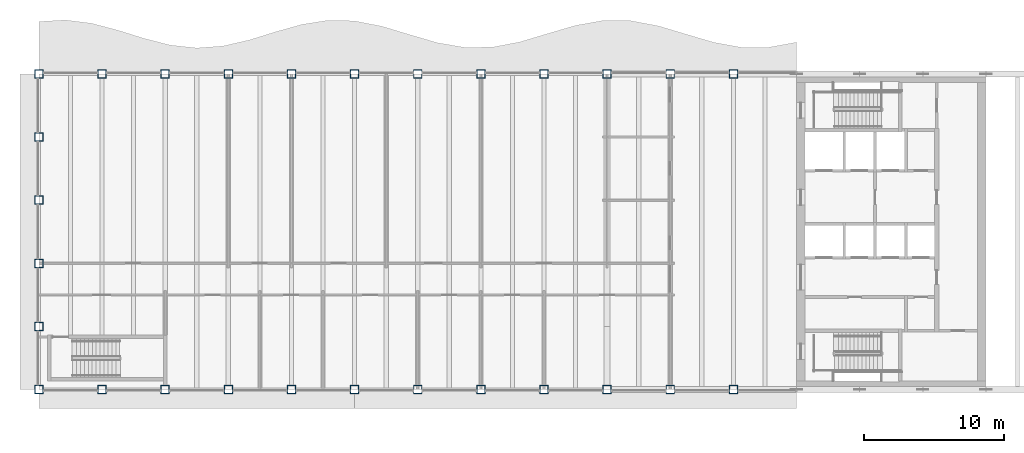
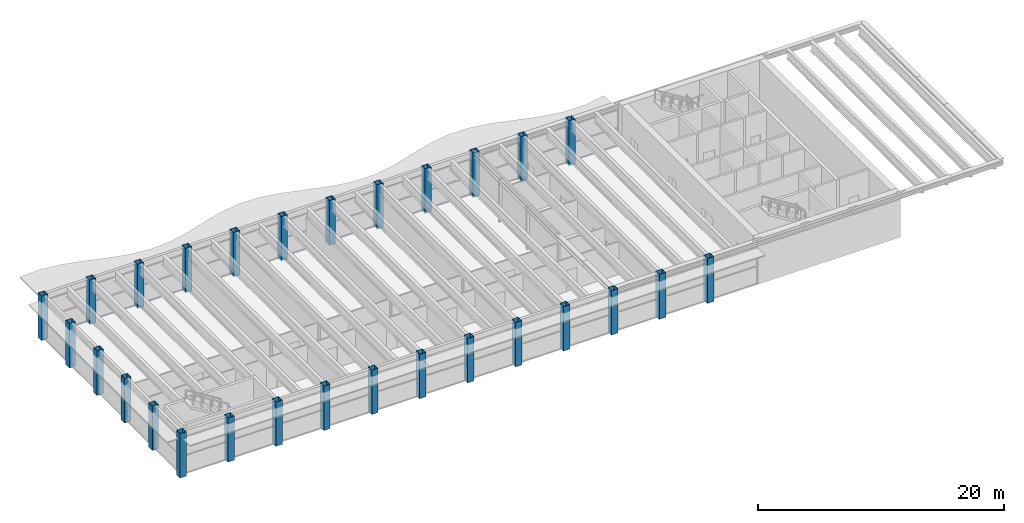
# One storey, part 1 of 15: 28 columns.
"""IFC4 building model written with IfcOpenShell, lengths in metres."""

import ifcopenshell
import ifcopenshell.guid

model = None  # the IFC model being written
_history = None  # IfcOwnerHistory: only IFC2X3 demands one
_inside = {}  # id of a spatial element -> (the spatial element, [elements in it])
_under = {}  # id of a project, library or spatial element -> (it, [spatial elements below it])
_declared = {}  # id of a project -> (the project, [libraries it declares])
_typed = {}  # id of a type object -> (the type object, [elements of that type])
_made_of = {}  # id of a material, layer set ... -> (it, [elements and type objects made of it])


def new_model(schema):
    """Start an empty IFC model of exactly this schema.

    Asked for "IFC4X3", IfcOpenShell would pick the latest addendum, in which some entities
    have other attributes; the version numbers below select the first issue.
    IFC2X3 requires an IfcOwnerHistory on every rooted entity: one is made here for all.
    """
    global model, _history
    if schema == "IFC4X3":
        model = ifcopenshell.file(schema_version=(4, 3, 0, 0))
    else:
        model = ifcopenshell.file(schema=schema)
    _inside.clear()
    _under.clear()
    _declared.clear()
    _typed.clear()
    _made_of.clear()
    _history = None
    if model.schema == "IFC2X3":
        org = make("IfcOrganization", Name="unknown")
        user = make(
            "IfcPersonAndOrganization",
            ThePerson=make("IfcPerson", FamilyName="unknown"),
            TheOrganization=org,
        )
        app = make(
            "IfcApplication",
            ApplicationDeveloper=org,
            Version="unknown",
            ApplicationFullName="unknown",
            ApplicationIdentifier="unknown",
        )
        _history = make(
            "IfcOwnerHistory",
            OwningUser=user,
            OwningApplication=app,
            ChangeAction="ADDED",
            CreationDate=0,
        )
    return model


def make(cls, **values):
    """One entity of the class cls with the attributes given. An attribute that is None is left unset."""
    return model.create_entity(
        cls, **{name: value for name, value in values.items() if value is not None}
    )


def rooted(cls, **values):
    """An entity with a GlobalId (a new one), such as an element, a storey or a relation."""
    return make(cls, GlobalId=ifcopenshell.guid.new(), OwnerHistory=_history, **values)


def si_unit(unit_type, name, prefix=None):
    """IfcSIUnit, for example si_unit("LENGTHUNIT", "METRE", prefix="MILLI")."""
    return make("IfcSIUnit", UnitType=unit_type, Prefix=prefix, Name=name)


def assignment(units):
    """IfcUnitAssignment: the units of a project."""
    return None if units is None else make("IfcUnitAssignment", Units=units)


def point(xyz):
    """IfcCartesianPoint."""
    return None if xyz is None else make("IfcCartesianPoint", Coordinates=xyz)


def direction(xyz):
    """IfcDirection."""
    return None if xyz is None else make("IfcDirection", DirectionRatios=xyz)


def frame(location, z_axis=None, x_axis=None):
    """IfcAxis2Placement3D, a coordinate frame: its origin and axes. An axis left out is left unset."""
    return make(
        "IfcAxis2Placement3D",
        Location=point(location),
        Axis=direction(z_axis),
        RefDirection=direction(x_axis),
    )


def frame_2d(location, x_axis=None):
    """IfcAxis2Placement2D, a coordinate frame in the plane: its origin and x axis."""
    return make(
        "IfcAxis2Placement2D", Location=point(location), RefDirection=direction(x_axis)
    )


def origin():
    """The frame at (0, 0, 0) with its axes left unset."""
    return frame((0.0, 0.0, 0.0))


def origin_2d():
    """The frame at (0, 0) in the plane with its x axis left unset."""
    return frame_2d((0.0, 0.0))


def place(relative_to, where):
    """IfcLocalPlacement: puts the frame where relative to a parent placement (None: the world)."""
    return make(
        "IfcLocalPlacement", PlacementRelTo=relative_to, RelativePlacement=where
    )


def context(
    kind, dimensions, precision=None, world=None, true_north=None, identifier=None
):
    """IfcGeometricRepresentationContext, for example the 3D "Model" context."""
    return make(
        "IfcGeometricRepresentationContext",
        ContextIdentifier=identifier,
        ContextType=kind,
        CoordinateSpaceDimension=dimensions,
        Precision=precision,
        WorldCoordinateSystem=world,
        TrueNorth=true_north,
    )


def subcontext(parent, identifier, kind, view, scale=None):
    """IfcGeometricRepresentationSubContext, for example "Body" below "Model"."""
    return make(
        "IfcGeometricRepresentationSubContext",
        ContextIdentifier=identifier,
        ContextType=kind,
        ParentContext=parent,
        TargetScale=scale,
        TargetView=view,
    )


def project(units=None, contexts=None):
    """IfcProject with its units and contexts."""
    return rooted(
        "IfcProject",
        Name="project",
        RepresentationContexts=contexts,
        UnitsInContext=assignment(units),
    )


def spatial(cls, under=None, at=None, **own):
    """A site, building, storey or space (cls), placed at a placement, below another one or the project."""
    s = rooted(cls, ObjectPlacement=at, **own)
    if under is not None:
        _under.setdefault(under.id(), (under, []))[1].append(s)
    return s


def profile(cls, at=None, kind="AREA", **sizes):
    """A parametric profile (cls). Its sizes go by their IFC names, for example OverallWidth=200.0."""
    return make(cls, ProfileType=kind, Position=at, **sizes)


def hollow_rectangle(**sizes):
    """IfcRectangleHollowProfileDef."""
    return profile("IfcRectangleHollowProfileDef", **sizes)


def extrude(swept, where, along, depth):
    """IfcExtrudedAreaSolid: the profile swept, set in the frame where, extruded along a direction by depth."""
    return make(
        "IfcExtrudedAreaSolid",
        SweptArea=swept,
        Position=where,
        ExtrudedDirection=direction(along),
        Depth=depth,
    )


def shape(context_of_items, identifier, shape_type, items):
    """IfcShapeRepresentation: the items that make up one representation, for example the "Body"."""
    return make(
        "IfcShapeRepresentation",
        ContextOfItems=context_of_items,
        RepresentationIdentifier=identifier,
        RepresentationType=shape_type,
        Items=items,
    )


def material(Name=None, Category=None):
    """IfcMaterial."""
    return make("IfcMaterial", Name=Name, Category=Category)


def material_profile(
    of_material, cross_section, Name=None, Category=None, Priority=None
):
    """IfcMaterialProfile: a cross section and its material."""
    return make(
        "IfcMaterialProfile",
        Name=Name,
        Material=of_material,
        Profile=cross_section,
        Priority=Priority,
        Category=Category,
    )


def profile_set(profiles, Name=None, composite=None):
    """IfcMaterialProfileSet."""
    return make(
        "IfcMaterialProfileSet",
        Name=Name,
        MaterialProfiles=profiles,
        CompositeProfile=composite,
    )


def made_of(thing, what):
    """Note that an element or type object is made of a material, layer set ...; save() writes the relation."""
    if what is not None:
        _made_of.setdefault(what.id(), (what, []))[1].append(thing)
    return thing


def type_object(cls, material=None, **own):
    """A type object (cls), such as IfcWallType, which elements share."""
    return made_of(rooted(cls, **own), material)


def element(
    cls,
    number,
    at=None,
    inside=None,
    cuts=None,
    type_object=None,
    material=None,
    context=None,
    identifier="Body",
    shape_type=None,
    held_by="IfcProductDefinitionShape",
    body=None,
    shapes=None,
    **own,
):
    """One element of the class cls, such as IfcWall. Its Tag is "e" and its number.

    at: its placement. inside: the storey or other place that contains it. cuts: it is an
    opening in that element (IfcRelVoidsElement). A single representation is given by context,
    identifier, shape_type and body (its items); several are given by shapes. held_by: the class
    of the entity that holds the representations. save() writes the other relations.
    """
    e = rooted(cls, Tag="e%d" % number, ObjectPlacement=at, **own)
    if body is not None:
        shapes = [shape(context, identifier, shape_type, body)]
    if shapes is not None:
        e.Representation = make(held_by, Representations=shapes)
    if inside is not None:
        _inside.setdefault(inside.id(), (inside, []))[1].append(e)
    if cuts is not None:
        rooted(
            "IfcRelVoidsElement", RelatingBuildingElement=cuts, RelatedOpeningElement=e
        )
    if type_object is not None:
        _typed.setdefault(type_object.id(), (type_object, []))[1].append(e)
    return made_of(e, material)


def aggregate(whole, parts):
    """IfcRelAggregates: a whole, such as a stair, and the parts it consists of."""
    return rooted("IfcRelAggregates", RelatingObject=whole, RelatedObjects=parts)


def save(model, path):
    """Write the relations noted so far, then the file.

    IfcRelAggregates (storeys below a building ...), IfcRelContainedInSpatialStructure (elements
    in a storey), IfcRelDefinesByType, IfcRelAssociatesMaterial and IfcRelDeclares: one each for
    every whole, place, type object, material and project.
    """
    for whole, parts in _under.values():
        aggregate(whole, parts)
    for where, things in _inside.values():
        rooted(
            "IfcRelContainedInSpatialStructure",
            RelatedElements=things,
            RelatingStructure=where,
        )
    for kind, things in _typed.values():
        rooted("IfcRelDefinesByType", RelatedObjects=things, RelatingType=kind)
    for what, things in _made_of.values():
        rooted("IfcRelAssociatesMaterial", RelatedObjects=things, RelatingMaterial=what)
    for by, libraries in _declared.values():
        rooted("IfcRelDeclares", RelatingContext=by, RelatedDefinitions=libraries)
    model.write(path)


model = new_model("IFC4")

# Units and contexts
model_context = context("Model", 3, precision=1e-05, world=origin(), true_north=direction((0.0, 1.0)))
body_context = subcontext(model_context, "Body", "Model", "MODEL_VIEW")
ifc_project = project(units=[si_unit("LENGTHUNIT", "METRE"), si_unit("AREAUNIT", "SQUARE_METRE"), si_unit("VOLUMEUNIT", "CUBIC_METRE"), si_unit("PLANEANGLEUNIT", "RADIAN"), si_unit("MASSUNIT", "GRAM", prefix="KILO")], contexts=[model_context])

# Site, building, storey
site_placement = place(None, origin())
site = spatial("IfcSite", under=ifc_project, at=site_placement, CompositionType="ELEMENT")
building_placement = place(site_placement, origin())
building = spatial("IfcBuilding", under=site, at=building_placement, Name="Sennacour Bend Tower", CompositionType="ELEMENT")
storey_placement = place(building_placement, frame((0.0, 0.0, 341.0)))
storey = spatial("IfcBuildingStorey", under=building, at=storey_placement, Name="L78", CompositionType="ELEMENT", Elevation=341.0)

# Columns
ifc_material = material(Name="Steel ASTM A572 Grade 50", Category="steel")
ifc_material_profile = material_profile(ifc_material, hollow_rectangle(XDim=0.60009765625, YDim=0.60009765625, WallThickness=0.030029296875, at=origin_2d()), Name="Steel ASTM A572 Grade 50", Category="steel")
ifc_profile_set = profile_set([ifc_material_profile], Name="Steel ASTM A572 Grade 50")
column_type = type_object("IfcColumnType", Name="Box column 600", PredefinedType="COLUMN", material=ifc_profile_set)
for number, where, z_axis, x_axis, name in (
    (1, (0.0, 0.0, -0.14990234375), (0.0, 0.0, 1.0), (1.0, 0.0, 0.0), "Perimeter column C6 L78-001"),
    (2, (0.0, 4.5, -0.14990234375), (0.0, 0.0, 1.0), (1.0, 0.0, 0.0), "Perimeter column C6 L78-002"),
    (3, (0.0, 9.0, -0.14990234375), (0.0, 0.0, 1.0), (1.0, 0.0, 0.0), "Perimeter column C6 L78-003"),
    (4, (0.0, 13.5, -0.14990234375), (0.0, 0.0, 1.0), (1.0, 0.0, 0.0), "Perimeter column C6 L78-004"),
    (5, (0.0, 18.0, -0.14990234375), (0.0, 0.0, 1.0), (1.0, 0.0, 0.0), "Perimeter column C6 L78-005"),
    (6, (0.0, 22.5, -0.14990234375), (0.0, 0.0, 1.0), (1.0, 0.0, 0.0), "Perimeter column C6 L78-006"),
    (7, (4.5, 0.0, -0.14990234375), (0.0, 0.0, 1.0), (1.0, 0.0, 0.0), "Perimeter column C6 L78-007"),
    (8, (4.5, 22.5, -0.14990234375), (0.0, 0.0, 1.0), (1.0, 0.0, 0.0), "Perimeter column C6 L78-008"),
    (9, (9.0, 0.0, -0.14990234375), (0.0, 0.0, 1.0), (1.0, 0.0, 0.0), "Perimeter column C6 L78-009"),
    (10, (9.0, 22.5, -0.14990234375), (0.0, 0.0, 1.0), (1.0, 0.0, 0.0), "Perimeter column C6 L78-010"),
    (11, (13.5, 0.0, -0.14990234375), (0.0, 0.0, 1.0), (1.0, 0.0, 0.0), "Perimeter column C6 L78-011"),
    (12, (13.5, 22.5, -0.14990234375), (0.0, 0.0, 1.0), (1.0, 0.0, 0.0), "Perimeter column C6 L78-012"),
    (13, (18.0, 0.0, -0.14990234375), (0.0, 0.0, 1.0), (1.0, 0.0, 0.0), "Perimeter column C6 L78-013"),
    (14, (18.0, 22.5, -0.14990234375), (0.0, 0.0, 1.0), (1.0, 0.0, 0.0), "Perimeter column C6 L78-014"),
    (15, (22.5, 0.0, -0.14990234375), (0.0, 0.0, 1.0), (1.0, 0.0, 0.0), "Perimeter column C6 L78-015"),
    (16, (22.5, 22.5, -0.14990234375), (0.0, 0.0, 1.0), (1.0, 0.0, 0.0), "Perimeter column C6 L78-016"),
    (17, (27.0, 0.0, -0.14990234375), (0.0, 0.0, 1.0), (1.0, 0.0, 0.0), "Perimeter column C6 L78-017"),
    (18, (27.0, 22.5, -0.14990234375), (0.0, 0.0, 1.0), (1.0, 0.0, 0.0), "Perimeter column C6 L78-018"),
    (19, (31.5, 0.0, -0.14990234375), (0.0, 0.0, 1.0), (1.0, 0.0, 0.0), "Perimeter column C6 L78-019"),
    (20, (31.5, 22.5, -0.14990234375), (0.0, 0.0, 1.0), (1.0, 0.0, 0.0), "Perimeter column C6 L78-020"),
    (21, (36.0, 0.0, -0.14990234375), (0.0, 0.0, 1.0), (1.0, 0.0, 0.0), "Perimeter column C6 L78-021"),
    (22, (36.0, 22.5, -0.14990234375), (0.0, 0.0, 1.0), (1.0, 0.0, 0.0), "Perimeter column C6 L78-022"),
    (23, (40.5, 0.0, -0.14990234375), (0.0, 0.0, 1.0), (1.0, 0.0, 0.0), "Perimeter column C6 L78-023"),
    (24, (40.5, 22.5, -0.14990234375), (0.0, 0.0, 1.0), (1.0, 0.0, 0.0), "Perimeter column C6 L78-024"),
):
    element("IfcColumn", number, at=place(storey_placement, frame(where, z_axis=z_axis, x_axis=x_axis)), inside=storey, type_object=column_type, Name=name, PredefinedType="COLUMN", context=body_context, shape_type="SweptSolid", body=[
        extrude(hollow_rectangle(XDim=0.60009765625, YDim=0.60009765625, WallThickness=0.030029296875, at=origin_2d()), origin(), (0.0, 0.0, 1.0), 4.39990234375),
    ])
for number, where, z_axis, x_axis, name in (
    (25, (45.0, 0.0, -0.14990234375), (0.0, 0.0, 1.0), (1.0, 0.0, 0.0), "Perimeter column C6 L78-025"),
    (26, (45.0, 22.5, -0.14990234375), (0.0, 0.0, 1.0), (1.0, 0.0, 0.0), "Perimeter column C6 L78-026"),
    (27, (49.5, 0.0, -0.14990234375), (0.0, 0.0, 1.0), (1.0, 0.0, 0.0), "Perimeter column C6 L78-027"),
    (28, (49.5, 22.5, -0.14990234375), (0.0, 0.0, 1.0), (1.0, 0.0, 0.0), "Perimeter column C6 L78-028"),
):
    element("IfcColumn", number, at=place(storey_placement, frame(where, z_axis=z_axis, x_axis=x_axis)), inside=storey, type_object=column_type, Name=name, PredefinedType="COLUMN", context=body_context, shape_type="SweptSolid", body=[
        extrude(hollow_rectangle(XDim=0.60009765625, YDim=0.60009765625, WallThickness=0.030029296875, at=origin_2d()), origin(), (0.0, 0.0, 1.0), 4.449951171875),
    ])

save(model, "model.ifc")
